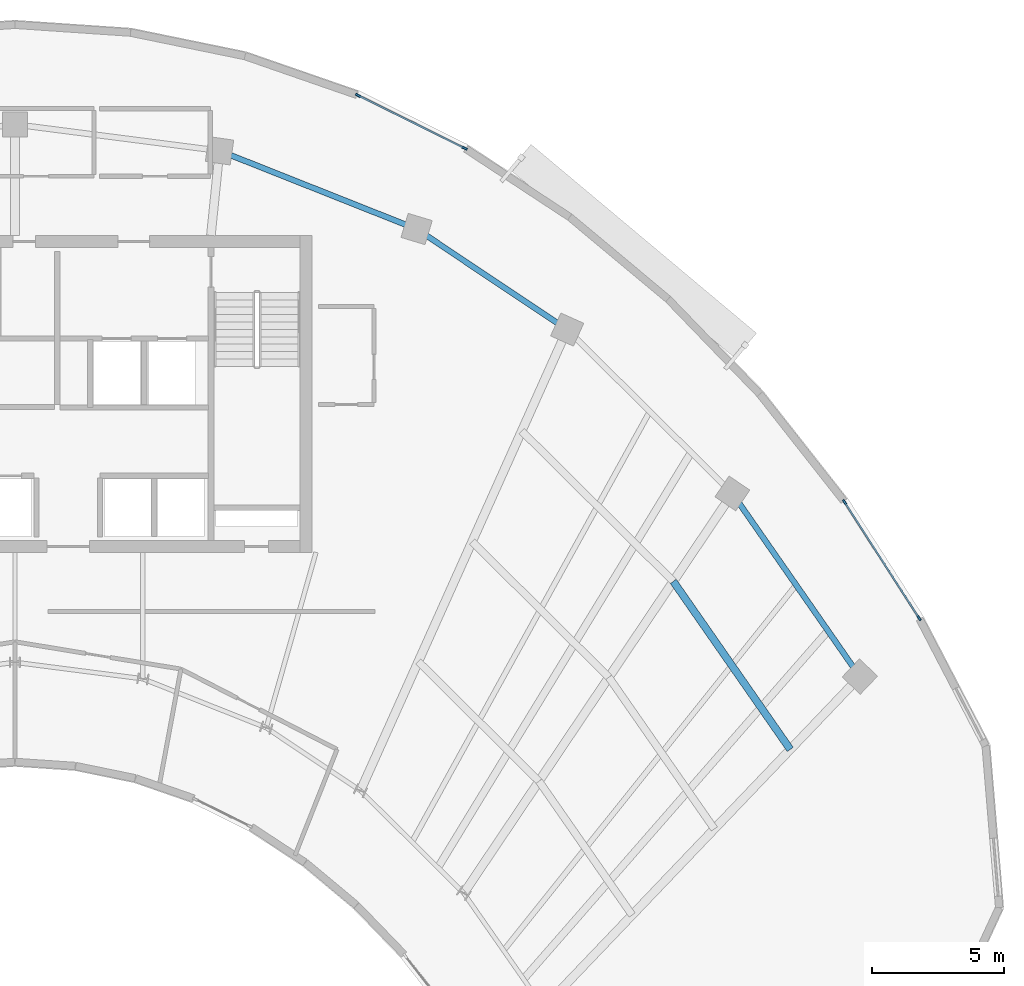
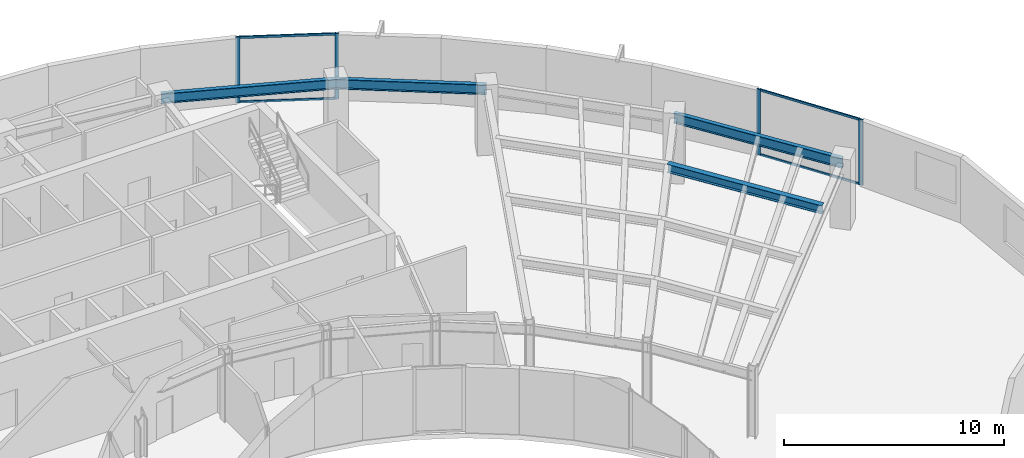
# One storey, part 6 of 14: 8 members, 4 beams, 2 elements without a shape of their own.
"""IFC4 building model written with IfcOpenShell, lengths in metres."""

import ifcopenshell
import ifcopenshell.guid

model = None  # the IFC model being written
_history = None  # IfcOwnerHistory: only IFC2X3 demands one
_inside = {}  # id of a spatial element -> (the spatial element, [elements in it])
_under = {}  # id of a project, library or spatial element -> (it, [spatial elements below it])
_declared = {}  # id of a project -> (the project, [libraries it declares])
_typed = {}  # id of a type object -> (the type object, [elements of that type])
_made_of = {}  # id of a material, layer set ... -> (it, [elements and type objects made of it])


def new_model(schema):
    """Start an empty IFC model of exactly this schema.

    Asked for "IFC4X3", IfcOpenShell would pick the latest addendum, in which some entities
    have other attributes; the version numbers below select the first issue.
    IFC2X3 requires an IfcOwnerHistory on every rooted entity: one is made here for all.
    """
    global model, _history
    if schema == "IFC4X3":
        model = ifcopenshell.file(schema_version=(4, 3, 0, 0))
    else:
        model = ifcopenshell.file(schema=schema)
    _inside.clear()
    _under.clear()
    _declared.clear()
    _typed.clear()
    _made_of.clear()
    _history = None
    if model.schema == "IFC2X3":
        org = make("IfcOrganization", Name="unknown")
        user = make(
            "IfcPersonAndOrganization",
            ThePerson=make("IfcPerson", FamilyName="unknown"),
            TheOrganization=org,
        )
        app = make(
            "IfcApplication",
            ApplicationDeveloper=org,
            Version="unknown",
            ApplicationFullName="unknown",
            ApplicationIdentifier="unknown",
        )
        _history = make(
            "IfcOwnerHistory",
            OwningUser=user,
            OwningApplication=app,
            ChangeAction="ADDED",
            CreationDate=0,
        )
    return model


def make(cls, **values):
    """One entity of the class cls with the attributes given. An attribute that is None is left unset."""
    return model.create_entity(
        cls, **{name: value for name, value in values.items() if value is not None}
    )


def rooted(cls, **values):
    """An entity with a GlobalId (a new one), such as an element, a storey or a relation."""
    return make(cls, GlobalId=ifcopenshell.guid.new(), OwnerHistory=_history, **values)


def si_unit(unit_type, name, prefix=None):
    """IfcSIUnit, for example si_unit("LENGTHUNIT", "METRE", prefix="MILLI")."""
    return make("IfcSIUnit", UnitType=unit_type, Prefix=prefix, Name=name)


def assignment(units):
    """IfcUnitAssignment: the units of a project."""
    return None if units is None else make("IfcUnitAssignment", Units=units)


def point(xyz):
    """IfcCartesianPoint."""
    return None if xyz is None else make("IfcCartesianPoint", Coordinates=xyz)


def direction(xyz):
    """IfcDirection."""
    return None if xyz is None else make("IfcDirection", DirectionRatios=xyz)


def frame(location, z_axis=None, x_axis=None):
    """IfcAxis2Placement3D, a coordinate frame: its origin and axes. An axis left out is left unset."""
    return make(
        "IfcAxis2Placement3D",
        Location=point(location),
        Axis=direction(z_axis),
        RefDirection=direction(x_axis),
    )


def frame_2d(location, x_axis=None):
    """IfcAxis2Placement2D, a coordinate frame in the plane: its origin and x axis."""
    return make(
        "IfcAxis2Placement2D", Location=point(location), RefDirection=direction(x_axis)
    )


def origin():
    """The frame at (0, 0, 0) with its axes left unset."""
    return frame((0.0, 0.0, 0.0))


def origin_2d():
    """The frame at (0, 0) in the plane with its x axis left unset."""
    return frame_2d((0.0, 0.0))


def place(relative_to, where):
    """IfcLocalPlacement: puts the frame where relative to a parent placement (None: the world)."""
    return make(
        "IfcLocalPlacement", PlacementRelTo=relative_to, RelativePlacement=where
    )


def context(
    kind, dimensions, precision=None, world=None, true_north=None, identifier=None
):
    """IfcGeometricRepresentationContext, for example the 3D "Model" context."""
    return make(
        "IfcGeometricRepresentationContext",
        ContextIdentifier=identifier,
        ContextType=kind,
        CoordinateSpaceDimension=dimensions,
        Precision=precision,
        WorldCoordinateSystem=world,
        TrueNorth=true_north,
    )


def subcontext(parent, identifier, kind, view, scale=None):
    """IfcGeometricRepresentationSubContext, for example "Body" below "Model"."""
    return make(
        "IfcGeometricRepresentationSubContext",
        ContextIdentifier=identifier,
        ContextType=kind,
        ParentContext=parent,
        TargetScale=scale,
        TargetView=view,
    )


def project(units=None, contexts=None):
    """IfcProject with its units and contexts."""
    return rooted(
        "IfcProject",
        Name="project",
        RepresentationContexts=contexts,
        UnitsInContext=assignment(units),
    )


def spatial(cls, under=None, at=None, **own):
    """A site, building, storey or space (cls), placed at a placement, below another one or the project."""
    s = rooted(cls, ObjectPlacement=at, **own)
    if under is not None:
        _under.setdefault(under.id(), (under, []))[1].append(s)
    return s


def profile(cls, at=None, kind="AREA", **sizes):
    """A parametric profile (cls). Its sizes go by their IFC names, for example OverallWidth=200.0."""
    return make(cls, ProfileType=kind, Position=at, **sizes)


def rectangle(**sizes):
    """IfcRectangleProfileDef."""
    return profile("IfcRectangleProfileDef", **sizes)


def i_section(**sizes):
    """IfcIShapeProfileDef."""
    return profile("IfcIShapeProfileDef", **sizes)


def extrude(swept, where, along, depth):
    """IfcExtrudedAreaSolid: the profile swept, set in the frame where, extruded along a direction by depth."""
    return make(
        "IfcExtrudedAreaSolid",
        SweptArea=swept,
        Position=where,
        ExtrudedDirection=direction(along),
        Depth=depth,
    )


def shape(context_of_items, identifier, shape_type, items):
    """IfcShapeRepresentation: the items that make up one representation, for example the "Body"."""
    return make(
        "IfcShapeRepresentation",
        ContextOfItems=context_of_items,
        RepresentationIdentifier=identifier,
        RepresentationType=shape_type,
        Items=items,
    )


def source(mapping_origin, context_of_items, identifier, shape_type, items):
    """IfcRepresentationMap: a shape defined once, which mapped items show again and again."""
    return make(
        "IfcRepresentationMap",
        MappingOrigin=mapping_origin,
        MappedRepresentation=shape(context_of_items, identifier, shape_type, items),
    )


def transform(
    local_origin,
    x_axis=None,
    y_axis=None,
    z_axis=None,
    scale=None,
    scale2=None,
    scale3=None,
    uniform=True,
):
    """IfcCartesianTransformationOperator3D, or its non-uniform kind. x_axis, y_axis, z_axis: its Axis1, 2, 3."""
    if uniform:
        return make(
            "IfcCartesianTransformationOperator3D",
            Axis1=direction(x_axis),
            Axis2=direction(y_axis),
            LocalOrigin=point(local_origin),
            Scale=scale,
            Axis3=direction(z_axis),
        )
    return make(
        "IfcCartesianTransformationOperator3DnonUniform",
        Axis1=direction(x_axis),
        Axis2=direction(y_axis),
        LocalOrigin=point(local_origin),
        Scale=scale,
        Axis3=direction(z_axis),
        Scale2=scale2,
        Scale3=scale3,
    )


def mapped(mapping_source, mapping_target):
    """IfcMappedItem: shows the shape of a source again, moved by a transform."""
    return make(
        "IfcMappedItem", MappingSource=mapping_source, MappingTarget=mapping_target
    )


def material(Name=None, Category=None):
    """IfcMaterial."""
    return make("IfcMaterial", Name=Name, Category=Category)


def layer(
    of_material, thickness, ventilated=None, Name=None, Category=None, Priority=None
):
    """IfcMaterialLayer: one layer of a wall or slab, of a material (None: an air gap)."""
    return make(
        "IfcMaterialLayer",
        Material=of_material,
        LayerThickness=thickness,
        IsVentilated=ventilated,
        Name=Name,
        Category=Category,
        Priority=Priority,
    )


def layer_set(layers, Name=None):
    """IfcMaterialLayerSet."""
    return make("IfcMaterialLayerSet", MaterialLayers=layers, LayerSetName=Name)


def material_profile(
    of_material, cross_section, Name=None, Category=None, Priority=None
):
    """IfcMaterialProfile: a cross section and its material."""
    return make(
        "IfcMaterialProfile",
        Name=Name,
        Material=of_material,
        Profile=cross_section,
        Priority=Priority,
        Category=Category,
    )


def profile_set(profiles, Name=None, composite=None):
    """IfcMaterialProfileSet."""
    return make(
        "IfcMaterialProfileSet",
        Name=Name,
        MaterialProfiles=profiles,
        CompositeProfile=composite,
    )


def made_of(thing, what):
    """Note that an element or type object is made of a material, layer set ...; save() writes the relation."""
    if what is not None:
        _made_of.setdefault(what.id(), (what, []))[1].append(thing)
    return thing


def type_object(cls, material=None, **own):
    """A type object (cls), such as IfcWallType, which elements share."""
    return made_of(rooted(cls, **own), material)


def element(
    cls,
    number,
    at=None,
    inside=None,
    cuts=None,
    type_object=None,
    material=None,
    context=None,
    identifier="Body",
    shape_type=None,
    held_by="IfcProductDefinitionShape",
    body=None,
    shapes=None,
    **own,
):
    """One element of the class cls, such as IfcWall. Its Tag is "e" and its number.

    at: its placement. inside: the storey or other place that contains it. cuts: it is an
    opening in that element (IfcRelVoidsElement). A single representation is given by context,
    identifier, shape_type and body (its items); several are given by shapes. held_by: the class
    of the entity that holds the representations. save() writes the other relations.
    """
    e = rooted(cls, Tag="e%d" % number, ObjectPlacement=at, **own)
    if body is not None:
        shapes = [shape(context, identifier, shape_type, body)]
    if shapes is not None:
        e.Representation = make(held_by, Representations=shapes)
    if inside is not None:
        _inside.setdefault(inside.id(), (inside, []))[1].append(e)
    if cuts is not None:
        rooted(
            "IfcRelVoidsElement", RelatingBuildingElement=cuts, RelatedOpeningElement=e
        )
    if type_object is not None:
        _typed.setdefault(type_object.id(), (type_object, []))[1].append(e)
    return made_of(e, material)


def aggregate(whole, parts):
    """IfcRelAggregates: a whole, such as a stair, and the parts it consists of."""
    return rooted("IfcRelAggregates", RelatingObject=whole, RelatedObjects=parts)


def save(model, path):
    """Write the relations noted so far, then the file.

    IfcRelAggregates (storeys below a building ...), IfcRelContainedInSpatialStructure (elements
    in a storey), IfcRelDefinesByType, IfcRelAssociatesMaterial and IfcRelDeclares: one each for
    every whole, place, type object, material and project.
    """
    for whole, parts in _under.values():
        aggregate(whole, parts)
    for where, things in _inside.values():
        rooted(
            "IfcRelContainedInSpatialStructure",
            RelatedElements=things,
            RelatingStructure=where,
        )
    for kind, things in _typed.values():
        rooted("IfcRelDefinesByType", RelatedObjects=things, RelatingType=kind)
    for what, things in _made_of.values():
        rooted("IfcRelAssociatesMaterial", RelatedObjects=things, RelatingMaterial=what)
    for by, libraries in _declared.values():
        rooted("IfcRelDeclares", RelatingContext=by, RelatedDefinitions=libraries)
    model.write(path)


model = new_model("IFC4")

# Units and contexts
model_context = context("Model", 3, precision=1e-05, world=origin(), true_north=direction((0.0, 1.0)))
body_context = subcontext(model_context, "Body", "Model", "MODEL_VIEW")
ifc_project = project(units=[si_unit("LENGTHUNIT", "METRE"), si_unit("AREAUNIT", "SQUARE_METRE"), si_unit("VOLUMEUNIT", "CUBIC_METRE"), si_unit("PLANEANGLEUNIT", "RADIAN"), si_unit("MASSUNIT", "GRAM", prefix="KILO")], contexts=[model_context])

# Site, building, storey
site_placement = place(None, origin())
site = spatial("IfcSite", under=ifc_project, at=site_placement, CompositionType="ELEMENT")
building_placement = place(site_placement, origin())
building = spatial("IfcBuilding", under=site, at=building_placement, Name="Breltana Convention Tower", CompositionType="ELEMENT")
storey_placement = place(building_placement, frame((0.0, 0.0, 207.89990234375)))
storey = spatial("IfcBuildingStorey", under=building, at=storey_placement, Name="L50", CompositionType="ELEMENT", Elevation=207.89990234375)

# Beams
ifc_material_1 = material(Name="Steel ASTM A992 Grade 50", Category="steel")
ifc_material_profile_1 = material_profile(ifc_material_1, i_section(OverallWidth=0.280029296875, OverallDepth=0.462890625, WebThickness=0.0107421875, FlangeThickness=0.017333984375, at=origin_2d()), Name="W18X76")
ifc_profile_set_1 = profile_set([ifc_material_profile_1], Name="Steel ASTM A992 Grade 50")
beam_type_1 = type_object("IfcBeamType", Name="BM-JSG-06", PredefinedType="JOIST", material=ifc_profile_set_1)
shared_shape_1 = source(origin(), body_context, "Body", "SweptSolid", [
    extrude(i_section(OverallWidth=0.280029296875, OverallDepth=0.462890625, WebThickness=0.0107421875, FlangeThickness=0.017333984375, at=origin_2d()), origin(), (0.0, 0.0, 1.0), 7.75390625),
])
beam_1_placement = place(storey_placement, frame((72.92919921875, 59.10009765625, 3.40869140625), z_axis=(0.57119271264, -0.820815987312, 0.0), x_axis=(0.820815987312, 0.57119271264, 0.0)))
element("IfcBeam", 1, at=beam_1_placement, inside=storey, type_object=beam_type_1, Name="L50 Composite Floor Joist 10.3", PredefinedType="JOIST", context=body_context, shape_type="MappedRepresentation", body=[
    mapped(shared_shape_1, transform((0.0, 0.0, 0.0), scale=1.0)),
])
ifc_material_profile_2 = material_profile(ifc_material_1, i_section(OverallWidth=0.214111328125, OverallDepth=0.549072265625, WebThickness=0.0146484375, FlangeThickness=0.023681640625, at=origin_2d()), Name="W21X93")
ifc_profile_set_2 = profile_set([ifc_material_profile_2], Name="Steel ASTM A992 Grade 50")
beam_type_2 = type_object("IfcBeamType", Name="BM-SP-W21X93", PredefinedType="SPANDREL", material=ifc_profile_set_2)
shared_shape_2 = source(origin(), body_context, "Body", "SweptSolid", [
    extrude(i_section(OverallWidth=0.214111328125, OverallDepth=0.549072265625, WebThickness=0.0146484375, FlangeThickness=0.023681640625, at=origin_2d()), origin(), (0.0, 0.0, 1.0), 8.028564453125),
])
beam_2_placement = place(storey_placement, frame((55.746826171875, 75.404296875, 3.365478515625), z_axis=(0.929459100394, -0.368925169507, 0.0), x_axis=(0.368925169507, 0.929459100394, 0.0)))
element("IfcBeam", 2, at=beam_2_placement, inside=storey, type_object=beam_type_2, Name="L50 Outer Spandrel Beam 07", PredefinedType="SPANDREL", context=body_context, shape_type="MappedRepresentation", body=[
    mapped(shared_shape_2, transform((0.0, 0.0, 0.0), scale=1.0)),
])
shared_shape_3 = source(origin(), body_context, "Body", "SweptSolid", [
    extrude(i_section(OverallWidth=0.214111328125, OverallDepth=0.549072265625, WebThickness=0.0146484375, FlangeThickness=0.023681640625, at=origin_2d()), origin(), (0.0, 0.0, 1.0), 6.856689453125),
])
beam_3_placement = place(storey_placement, frame((63.208984375, 72.4423828125, 3.365478515625), z_axis=(0.83150210718, -0.55552159792, 0.0), x_axis=(0.55552159792, 0.83150210718, 0.0)))
element("IfcBeam", 3, at=beam_3_placement, inside=storey, type_object=beam_type_2, Name="L50 Outer Spandrel Beam 08", PredefinedType="SPANDREL", context=body_context, shape_type="MappedRepresentation", body=[
    mapped(shared_shape_3, transform((0.0, 0.0, 0.0), scale=1.0)),
])
shared_shape_4 = source(origin(), body_context, "Body", "SweptSolid", [
    extrude(i_section(OverallWidth=0.214111328125, OverallDepth=0.549072265625, WebThickness=0.0146484375, FlangeThickness=0.023681640625, at=origin_2d()), origin(), (0.0, 0.0, 1.0), 8.44970703125),
])
beam_4_placement = place(storey_placement, frame((75.166748046875, 62.43017578125, 3.365478515625), z_axis=(0.5711855381, -0.820820979913, 0.0), x_axis=(0.820820979913, 0.5711855381, 0.0)))
element("IfcBeam", 4, at=beam_4_placement, inside=storey, type_object=beam_type_2, Name="L50 Outer Spandrel Beam 10", PredefinedType="SPANDREL", context=body_context, shape_type="MappedRepresentation", body=[
    mapped(shared_shape_4, transform((0.0, 0.0, 0.0), scale=1.0)),
])

# Curtain wall, members
ifc_material_2 = material(Name="Aluminium Anodised Bronze Frame", Category="aluminium")
ifc_layer = layer(ifc_material_2, 0.219970703125, Name="Aluminium Anodised Bronze Frame")
ifc_layer_set = layer_set([ifc_layer], Name="Aluminium Anodised Bronze Frame")
curtain_wall_type = type_object("IfcCurtainWallType", Name="CW-SYS-4", PredefinedType="NOTDEFINED", material=ifc_layer_set)
curtain_wall_1_placement = place(storey_placement, origin())
curtain_wall_1 = element("IfcCurtainWall", 5, at=curtain_wall_1_placement, inside=storey, type_object=curtain_wall_type, Name="L50 outer double-skin inner glazing 4", PredefinedType="NOTDEFINED")
ifc_material_3 = material(Name="Aluminium Anodised Bronze", Category="aluminium")
ifc_material_profile_3 = material_profile(ifc_material_3, rectangle(XDim=0.070068359375, YDim=0.1201171875, at=origin_2d()), Name="CWT-70X120")
ifc_profile_set_3 = profile_set([ifc_material_profile_3], Name="Aluminium Anodised Bronze")
member_type_1 = type_object("IfcMemberType", Name="CWT-120", PredefinedType="USERDEFINED", material=ifc_profile_set_3)
shared_shape_5 = source(origin(), body_context, "Body", "SweptSolid", [
    extrude(rectangle(XDim=0.070068359375, YDim=0.1201171875, at=origin_2d()), origin(), (0.0, 0.0, 1.0), 4.4306640625),
])
member_1_placement = place(storey_placement, frame((61.025146484375, 77.48486328125, 0.03515625), z_axis=(0.895964734866, -0.444125200678, 0.0), x_axis=(0.444125200678, 0.895964734866, 0.0)))
member_1 = element("IfcMember", 6, at=member_1_placement, type_object=member_type_1, Name="CW-04 transom 1.1", ObjectType="TRANSOM", PredefinedType="USERDEFINED", context=body_context, shape_type="MappedRepresentation", body=[
    mapped(shared_shape_5, transform((0.0, 0.0, 0.0), scale=1.0)),
])
member_2_placement = place(storey_placement, frame((61.025146484375, 77.48486328125, 3.60498046875), z_axis=(0.895964734866, -0.444125200678, 0.0), x_axis=(0.444125200678, 0.895964734866, 0.0)))
member_2 = element("IfcMember", 7, at=member_2_placement, type_object=member_type_1, Name="CW-04 transom 1.2", ObjectType="TRANSOM", PredefinedType="USERDEFINED", context=body_context, shape_type="MappedRepresentation", body=[
    mapped(shared_shape_5, transform((0.0, 0.0, 0.0), scale=1.0)),
])

curtain_wall_2_placement = place(storey_placement, origin())
curtain_wall_2 = element("IfcCurtainWall", 8, at=curtain_wall_2_placement, inside=storey, type_object=curtain_wall_type, Name="L50 outer double-skin inner glazing 5", PredefinedType="NOTDEFINED")
shared_shape_6 = source(origin(), body_context, "Body", "SweptSolid", [
    extrude(rectangle(XDim=0.070068359375, YDim=0.1201171875, at=origin_2d()), origin(), (0.0, 0.0, 1.0), 5.142822265625),
])
member_3_placement = place(storey_placement, frame((79.43408203125, 62.072265625, 0.03515625), z_axis=(0.54018882683, -0.841543838055, 0.0), x_axis=(0.841543838055, 0.54018882683, 0.0)))
member_3 = element("IfcMember", 9, at=member_3_placement, type_object=member_type_1, Name="CW-04 transom 1.1", ObjectType="TRANSOM", PredefinedType="USERDEFINED", context=body_context, shape_type="MappedRepresentation", body=[
    mapped(shared_shape_6, transform((0.0, 0.0, 0.0), scale=1.0)),
])
member_4_placement = place(storey_placement, frame((79.43408203125, 62.072265625, 3.60498046875), z_axis=(0.54018882683, -0.841543838055, 0.0), x_axis=(0.841543838055, 0.54018882683, 0.0)))
member_4 = element("IfcMember", 10, at=member_4_placement, type_object=member_type_1, Name="CW-04 transom 1.2", ObjectType="TRANSOM", PredefinedType="USERDEFINED", context=body_context, shape_type="MappedRepresentation", body=[
    mapped(shared_shape_6, transform((0.0, 0.0, 0.0), scale=1.0)),
])

# Member
ifc_material_profile_4 = material_profile(ifc_material_3, rectangle(XDim=0.080078125, YDim=0.199951171875, at=origin_2d()), Name="CWM-80X200")
ifc_profile_set_4 = profile_set([ifc_material_profile_4], Name="Aluminium Anodised Bronze")
member_type_2 = type_object("IfcMemberType", Name="CWM-200", PredefinedType="MULLION", material=ifc_profile_set_4)
shared_shape_7 = source(origin(), body_context, "Body", "SweptSolid", [
    extrude(rectangle(XDim=0.080078125, YDim=0.199951171875, at=origin_2d()), origin(), (0.0, 0.0, 1.0), 3.64013671875),
])
member_5_placement = place(storey_placement, frame((60.9892578125, 77.50244140625, 0.0), z_axis=(0.0, 0.0, 1.0), x_axis=(0.444108875003, 0.895972827235, 0.0)))
member_5 = element("IfcMember", 11, at=member_5_placement, type_object=member_type_2, Name="CW-04 mullion 1", PredefinedType="MULLION", context=body_context, shape_type="MappedRepresentation", body=[
    mapped(shared_shape_7, transform((0.0, 0.0, 0.0), scale=1.0)),
])

member_6_placement = place(storey_placement, frame((65.03076171875, 75.499267578125, 0.0), z_axis=(0.0, 0.0, 1.0), x_axis=(0.444108875003, 0.895972827235, 0.0)))
member_6 = element("IfcMember", 12, at=member_6_placement, type_object=member_type_2, Name="CW-04 mullion 2", PredefinedType="MULLION", context=body_context, shape_type="MappedRepresentation", body=[
    mapped(shared_shape_7, transform((0.0, 0.0, 0.0), scale=1.0)),
])

aggregate(curtain_wall_1, [member_5, member_6, member_1, member_2])

member_7_placement = place(storey_placement, frame((79.41259765625, 62.10595703125, 0.0), z_axis=(0.0, 0.0, 1.0), x_axis=(0.84154835428, 0.540181791075, 0.0)))
member_7 = element("IfcMember", 13, at=member_7_placement, type_object=member_type_2, Name="CW-04 mullion 1", PredefinedType="MULLION", context=body_context, shape_type="MappedRepresentation", body=[
    mapped(shared_shape_7, transform((0.0, 0.0, 0.0), scale=1.0)),
])

member_8_placement = place(storey_placement, frame((82.23388671875, 57.710693359375, 0.0), z_axis=(0.0, 0.0, 1.0), x_axis=(0.84154835428, 0.540181791075, 0.0)))
member_8 = element("IfcMember", 14, at=member_8_placement, type_object=member_type_2, Name="CW-04 mullion 2", PredefinedType="MULLION", context=body_context, shape_type="MappedRepresentation", body=[
    mapped(shared_shape_7, transform((0.0, 0.0, 0.0), scale=1.0)),
])

aggregate(curtain_wall_2, [member_7, member_8, member_3, member_4])

save(model, "model.ifc")
